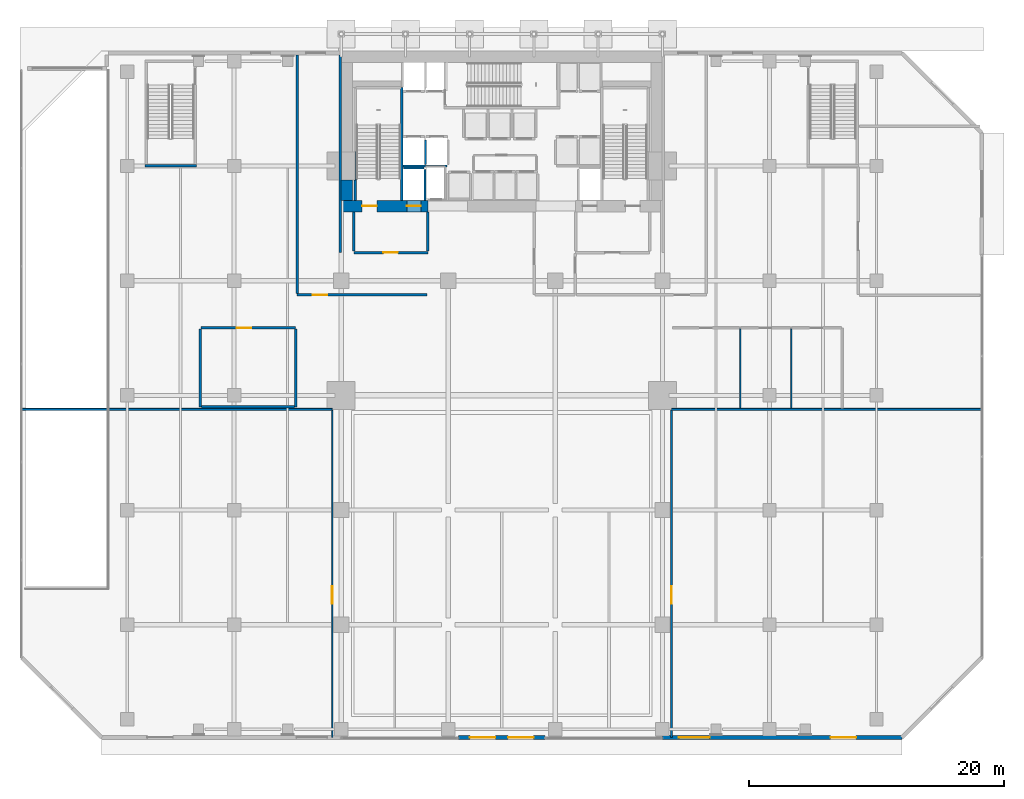
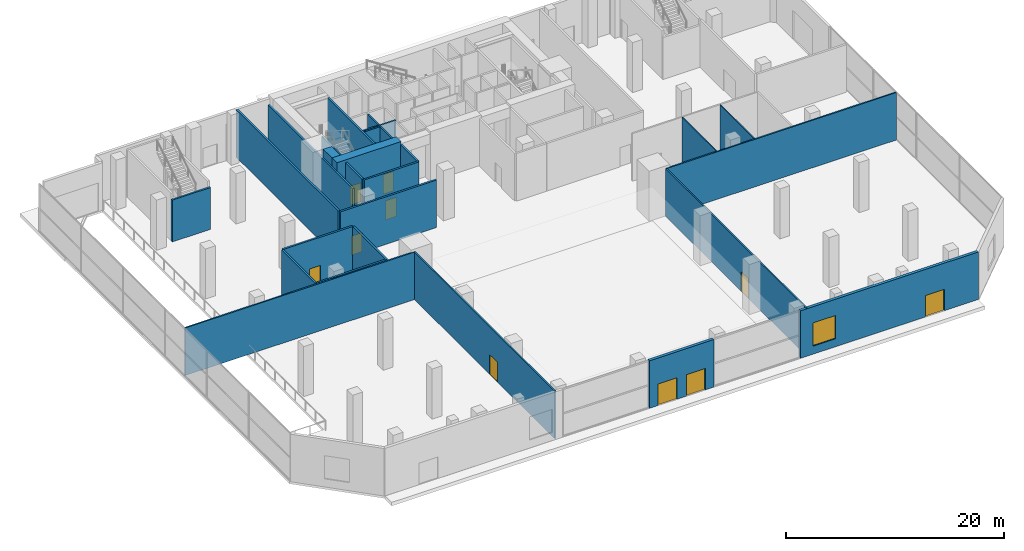
# One storey, part 27 of 35: 28 walls, 10 doors, 1 window, 11 openings.
"""IFC4 building model written with IfcOpenShell, lengths in metres."""

from ifc_helpers import new_model, si_unit, direction, frame, frame_2d, origin, place, context, subcontext, project, spatial, rectangle, extrude, material, layer, layer_set, type_object, element, fill, save


model = new_model("IFC4")

# Units and contexts
model_context = context("Model", 3, precision=1e-05, world=origin(), true_north=direction((0.0, 1.0)))
body_context = subcontext(model_context, "Body", "Model", "MODEL_VIEW")
ifc_project = project(units=[si_unit("LENGTHUNIT", "METRE"), si_unit("AREAUNIT", "SQUARE_METRE"), si_unit("VOLUMEUNIT", "CUBIC_METRE"), si_unit("PLANEANGLEUNIT", "RADIAN"), si_unit("MASSUNIT", "GRAM", prefix="KILO")], contexts=[model_context])

# Site, building, storey
site_placement = place(None, origin())
site = spatial("IfcSite", under=ifc_project, at=site_placement, CompositionType="ELEMENT")
building_placement = place(site_placement, origin())
building = spatial("IfcBuilding", under=site, at=building_placement, Name="Maruvema Waterfront Hotel and Observation Tower", CompositionType="ELEMENT")
storey_placement = place(building_placement, origin())
storey = spatial("IfcBuildingStorey", under=building, at=storey_placement, Name="L00", CompositionType="ELEMENT", Elevation=0.0)

# Wall, opening, door
ifc_material_1 = material(Name="Twin-stud acoustic gypsum drywall", Category="gypsum")
ifc_layer_1 = layer(ifc_material_1, 0.14990234375, Name="Acoustic Corridor and Suite Demising Wall 150 mm")
ifc_layer_set_1 = layer_set([ifc_layer_1], Name="Twin-stud acoustic gypsum drywall")
wall_type_1 = type_object("IfcWallType", Name="Acoustic Corridor and Suite Demising Wall 150 mm", PredefinedType="PARTITIONING", material=ifc_layer_set_1)
wall_1_placement = place(storey_placement, frame((24.5, 0.139892578125, 0.0), z_axis=(0.0, 0.0, 1.0), x_axis=(0.0, 1.0, 0.0)))
wall_1 = element("IfcWall", 1, at=wall_1_placement, inside=storey, type_object=wall_type_1, Name="L00 Retail East Wall 026", PredefinedType="PARTITIONING", context=body_context, shape_type="SweptSolid", body=[
    extrude(rectangle(XDim=25.72021484375, YDim=0.14990234375, at=frame_2d((12.860107421875, 0.0))), origin(), (0.0, 0.0, 1.0), 5.320068359375),
])
opening_1_placement = place(wall_1_placement, frame((10.5, 0.0, 0.0)))
opening_1 = element("IfcOpeningElement", 2, at=opening_1_placement, cuts=wall_1, Name="Opening DR-140", PredefinedType="OPENING", context=body_context, shape_type="SweptSolid", body=[
    extrude(rectangle(XDim=1.39990234375, YDim=2.199951171875, at=frame_2d((0.699951171875, 1.10009765625))), frame((0.0, 0.0849609375, 0.0), z_axis=(0.0, -1.0, 0.0), x_axis=(1.0, 0.0, 0.0)), (0.0, 0.0, 1.0), 0.169921875),
])
ifc_material_2 = material(Name="Anodised bronze framed acoustic glass leaf", Category="glass")
door_type_1 = type_object("IfcDoorType", Name="Conference and Restaurant Double Door 1400x2200 mm", OperationType="DOUBLE_DOOR_SINGLE_SWING", PredefinedType="DOOR", material=ifc_material_2)
door_1_placement = place(opening_1_placement, origin())
door_1 = element("IfcDoor", 3, at=door_1_placement, inside=storey, type_object=door_type_1, Name="L00 Retail Lobby Door", OperationType="DOUBLE_DOOR_SINGLE_SWING", OverallHeight=2.199951171875, OverallWidth=1.39990234375, PredefinedType="DOOR", context=body_context, shape_type="SweptSolid", body=[
    extrude(rectangle(XDim=1.39990234375, YDim=2.199951171875, at=frame_2d((0.699951171875, 1.10009765625))), frame((0.0, 0.02490234375, 0.0), z_axis=(0.0, -1.0, 0.0), x_axis=(1.0, 0.0, 0.0)), (0.0, 0.0, 1.0), 0.050048828125),
])
fill(opening_1, door_1)

# Wall
wall_2_placement = place(storey_placement, frame((0.139892578125, 25.89990234375, 0.0), z_axis=(0.0, 0.0, 1.0), x_axis=(1.0, 0.0, 0.0)))
element("IfcWall", 4, at=wall_2_placement, inside=storey, type_object=wall_type_1, Name="L00 Retail North Wall 027", PredefinedType="PARTITIONING", context=body_context, shape_type="SweptSolid", body=[
    extrude(rectangle(XDim=24.340087890625, YDim=0.14990234375, at=frame_2d((12.169921875, 0.0))), origin(), (0.0, 0.0, 1.0), 5.320068359375),
])

# Wall, opening, door
wall_3_placement = place(storey_placement, frame((51.10009765625, 0.139892578125, 0.0), z_axis=(0.0, 0.0, 1.0), x_axis=(0.0, 1.0, 0.0)))
wall_3 = element("IfcWall", 5, at=wall_3_placement, inside=storey, type_object=wall_type_1, Name="L00 Cafe West Wall 028", PredefinedType="PARTITIONING", context=body_context, shape_type="SweptSolid", body=[
    extrude(rectangle(XDim=25.72021484375, YDim=0.14990234375, at=frame_2d((12.860107421875, 0.0))), origin(), (0.0, 0.0, 1.0), 5.320068359375),
])
opening_2_placement = place(wall_3_placement, frame((10.5, 0.0, 0.0)))
opening_2 = element("IfcOpeningElement", 6, at=opening_2_placement, cuts=wall_3, Name="Opening DR-140", PredefinedType="OPENING", context=body_context, shape_type="SweptSolid", body=[
    extrude(rectangle(XDim=1.39990234375, YDim=2.199951171875, at=frame_2d((0.699951171875, 1.10009765625))), frame((0.0, 0.0849609375, 0.0), z_axis=(0.0, -1.0, 0.0), x_axis=(1.0, 0.0, 0.0)), (0.0, 0.0, 1.0), 0.169921875),
])
door_2_placement = place(opening_2_placement, frame((1.39990234375, 0.0, 0.0), z_axis=(0.0, 0.0, 1.0), x_axis=(-1.0, 0.0, 0.0)))
door_2 = element("IfcDoor", 7, at=door_2_placement, inside=storey, type_object=door_type_1, Name="L00 Cafe Lobby Door", OperationType="DOUBLE_DOOR_SINGLE_SWING", OverallHeight=2.199951171875, OverallWidth=1.39990234375, PredefinedType="DOOR", context=body_context, shape_type="SweptSolid", body=[
    extrude(rectangle(XDim=1.39990234375, YDim=2.199951171875, at=frame_2d((0.699951171875, 1.10009765625))), frame((0.0, 0.02490234375, 0.0), z_axis=(0.0, -1.0, 0.0), x_axis=(1.0, 0.0, 0.0)), (0.0, 0.0, 1.0), 0.050048828125),
])
fill(opening_2, door_2)

# Walls
wall_4_placement = place(storey_placement, frame((51.1201171875, 25.89990234375, 0.0), z_axis=(0.0, 0.0, 1.0), x_axis=(1.0, 0.0, 0.0)))
element("IfcWall", 8, at=wall_4_placement, inside=storey, type_object=wall_type_1, Name="L00 Cafe North Wall 029", PredefinedType="PARTITIONING", context=body_context, shape_type="SweptSolid", body=[
    extrude(rectangle(XDim=24.33984375, YDim=0.14990234375, at=frame_2d((12.169921875, 0.0))), origin(), (0.0, 0.0, 1.0), 5.320068359375),
])
ifc_material_3 = material(Name="Precast concrete C45/55", Category="concrete")
ifc_layer_2 = layer(ifc_material_3, 0.199951171875, Name="Core Shaft and Stairwell Enclosure Wall 200 mm")
ifc_layer_set_2 = layer_set([ifc_layer_2], Name="Precast concrete C45/55")
wall_type_2 = type_object("IfcWallType", Name="Core Shaft and Stairwell Enclosure Wall 200 mm", PredefinedType="SOLIDWALL", material=ifc_layer_set_2)
wall_5_placement = place(storey_placement, frame((29.949951171875, 42.300048828125, 0.0), z_axis=(0.0, 0.0, 1.0), x_axis=(0.0, 1.0, 0.0)))
element("IfcWall", 9, at=wall_5_placement, inside=storey, type_object=wall_type_2, Name="L00 Stairwell ST-01 East Shaft Wall", PredefinedType="SOLIDWALL", context=body_context, shape_type="SweptSolid", body=[
    extrude(rectangle(XDim=8.849853515625, YDim=0.199951171875, at=frame_2d((4.4248046875, 0.0))), origin(), (0.0, 0.0, 1.0), 5.320068359375),
])
wall_6_placement = place(storey_placement, frame((26.300048828125, 42.300048828125, 0.0), z_axis=(0.0, 0.0, 1.0), x_axis=(0.0, 1.0, 0.0)))
element("IfcWall", 10, at=wall_6_placement, inside=storey, type_object=wall_type_2, Name="L00 Stairwell ST-01 Shaft Lining Wall", PredefinedType="SOLIDWALL", context=body_context, shape_type="SweptSolid", body=[
    extrude(rectangle(XDim=1.579833984375, YDim=0.199951171875, at=frame_2d((0.7900390625, 0.0))), origin(), (0.0, 0.0, 1.0), 5.320068359375),
])
wall_7_placement = place(storey_placement, frame((9.800048828125, 45.0, 0.0), z_axis=(0.0, 0.0, 1.0), x_axis=(1.0, 0.0, 0.0)))
element("IfcWall", 11, at=wall_7_placement, inside=storey, type_object=wall_type_2, Name="L00 Stairwell ST-04 Shaft Wall", PredefinedType="SOLIDWALL", context=body_context, shape_type="SweptSolid", body=[
    extrude(rectangle(XDim=4.050048828125, YDim=0.199951171875, at=frame_2d((2.02490234375, 0.0))), origin(), (0.0, 0.0, 1.0), 4.68505859375),
])

# Wall, openings, doors
ifc_material_4 = material(Name="Concrete C80/95", Category="concrete")
ifc_layer_3 = layer(ifc_material_4, 0.89990234375, Name="Core Shear Wall 900 mm")
ifc_layer_set_3 = layer_set([ifc_layer_3], Name="Concrete C80/95")
wall_type_3 = type_object("IfcWallType", Name="Core Shear Wall 900 mm", PredefinedType="SHEAR", material=ifc_layer_set_3)
wall_8_placement = place(storey_placement, frame((25.199951171875, 41.85009765625, 0.0), z_axis=(0.0, 0.0, 1.0), x_axis=(1.0, 0.0, 0.0)))
wall_8 = element("IfcWall", 12, at=wall_8_placement, inside=storey, type_object=wall_type_3, Name="L00 South-West Core Shear Wall", PredefinedType="SHEAR", context=body_context, shape_type="SweptSolid", body=[
    extrude(rectangle(XDim=6.800048828125, YDim=0.89990234375, at=frame_2d((3.39990234375, 0.0))), origin(), (0.0, 0.0, 1.0), 5.60009765625),
])
opening_3_placement = place(wall_8_placement, frame((1.64990234375, 0.0, 0.0)))
opening_3 = element("IfcOpeningElement", 13, at=opening_3_placement, cuts=wall_8, Name="Opening SD-01", PredefinedType="OPENING", context=body_context, shape_type="SweptSolid", body=[
    extrude(rectangle(XDim=1.14990234375, YDim=2.14990234375, at=frame_2d((0.574951171875, 1.074951171875))), frame((0.0, 0.4599609375, 0.0), z_axis=(0.0, -1.0, 0.0), x_axis=(1.0, 0.0, 0.0)), (0.0, 0.0, 1.0), 0.919921875),
])
opening_4_placement = place(wall_8_placement, frame((5.14990234375, 0.0, 0.0)))
opening_4 = element("IfcOpeningElement", 14, at=opening_4_placement, cuts=wall_8, Name="Opening LD-03", PredefinedType="OPENING", context=body_context, shape_type="SweptSolid", body=[
    extrude(rectangle(XDim=1.10009765625, YDim=2.199951171875, at=frame_2d((0.550048828125, 1.10009765625))), frame((0.0, 0.4599609375, 0.0), z_axis=(0.0, -1.0, 0.0), x_axis=(1.0, 0.0, 0.0)), (0.0, 0.0, 1.0), 0.919921875),
])
ifc_material_5 = material(Name="Fire-rated galvanised steel leaf", Category="steel")
door_type_2 = type_object("IfcDoorType", Name="Exit Stair Fire Door 1150x2150 mm", OperationType="NOTDEFINED", PredefinedType="DOOR", material=ifc_material_5)
door_3_placement = place(opening_3_placement, frame((1.14990234375, 0.0, 0.0), z_axis=(0.0, 0.0, 1.0), x_axis=(-1.0, 0.0, 0.0)))
door_3 = element("IfcDoor", 15, at=door_3_placement, inside=storey, type_object=door_type_2, Name="L00 Exit Stair ST-01 Fire Door", OperationType="SINGLE_SWING_LEFT", OverallHeight=2.14990234375, OverallWidth=1.14990234375, PredefinedType="DOOR", context=body_context, shape_type="SweptSolid", body=[
    extrude(rectangle(XDim=1.14990234375, YDim=2.14990234375, at=frame_2d((0.574951171875, 1.074951171875))), frame((0.0, 0.02490234375, 0.0), z_axis=(0.0, -1.0, 0.0), x_axis=(1.0, 0.0, 0.0)), (0.0, 0.0, 1.0), 0.050048828125),
])
fill(opening_3, door_3)
ifc_material_6 = material(Name="Brushed stainless steel Grade 316", Category="steel")
door_type_3 = type_object("IfcDoorType", Name="Firefighting Lift Sliding Landing Door 1100x2200 mm", OperationType="SLIDING_TO_LEFT", PredefinedType="DOOR", material=ifc_material_6)
door_4_placement = place(opening_4_placement, frame((1.10009765625, 0.0, 0.0), z_axis=(0.0, 0.0, 1.0), x_axis=(-1.0, 0.0, 0.0)))
door_4 = element("IfcDoor", 16, at=door_4_placement, inside=storey, type_object=door_type_3, Name="L00 Firefighting Lift FL-01 Landing Door", OperationType="SLIDING_TO_LEFT", OverallHeight=2.199951171875, OverallWidth=1.10009765625, PredefinedType="DOOR", context=body_context, shape_type="SweptSolid", body=[
    extrude(rectangle(XDim=1.10009765625, YDim=2.199951171875, at=frame_2d((0.550048828125, 1.10009765625))), frame((0.0, 0.02490234375, 0.0), z_axis=(0.0, -1.0, 0.0), x_axis=(1.0, 0.0, 0.0)), (0.0, 0.0, 1.0), 0.050048828125),
])
fill(opening_4, door_4)

# Walls
wall_9_placement = place(storey_placement, frame((25.64990234375, 42.300048828125, 0.0), z_axis=(0.0, 0.0, 1.0), x_axis=(0.0, 1.0, 0.0)))
element("IfcWall", 17, at=wall_9_placement, inside=storey, type_object=wall_type_3, Name="L00 West-South Core Shear Wall", PredefinedType="SHEAR", context=body_context, shape_type="SweptSolid", body=[
    extrude(rectangle(XDim=1.599853515625, YDim=0.89990234375, at=frame_2d((0.7998046875, 0.0))), origin(), (0.0, 0.0, 1.0), 5.60009765625),
])
ifc_material_7 = material(Name="Moisture-resistant cement-board drywall", Category="gypsum")
ifc_layer_4 = layer(ifc_material_7, 0.10009765625, Name="En-Suite Moisture-Resistant Partition 100 mm")
ifc_layer_set_4 = layer_set([ifc_layer_4], Name="Moisture-resistant cement-board drywall")
wall_type_4 = type_object("IfcWallType", Name="En-Suite Moisture-Resistant Partition 100 mm", PredefinedType="PARTITIONING", material=ifc_layer_set_4)
for number, where, z_axis, x_axis, name in (
    (18, (56.5, 26.0, 0.0), (0.0, 0.0, 1.0), (0.0, 1.0, 0.0), "L00 Luggage Split 033"),
    (19, (60.5, 26.0, 0.0), (0.0, 0.0, 1.0), (0.0, 1.0, 0.0), "L00 WC Split 034"),
):
    element("IfcWall", number, at=place(storey_placement, frame(where, z_axis=z_axis, x_axis=x_axis)), inside=storey, type_object=wall_type_4, Name=name, PredefinedType="PARTITIONING", context=body_context, shape_type="SweptSolid", body=[
        extrude(rectangle(XDim=6.219970703125, YDim=0.10009765625, at=frame_2d((3.10986328125, 0.0))), origin(), (0.0, 0.0, 1.0), 5.320068359375),
    ])

# Wall, opening, door
ifc_material_8 = material(Name="Autoclaved cellular concrete blockwork", Category="masonry")
ifc_layer_5 = layer(ifc_material_8, 0.199951171875, Name="Fire Compartment Masonry Wall 200 mm")
ifc_layer_set_5 = layer_set([ifc_layer_5], Name="Autoclaved cellular concrete blockwork")
wall_type_5 = type_object("IfcWallType", Name="Fire Compartment Masonry Wall 200 mm", PredefinedType="PARTITIONING", material=ifc_layer_set_5)
wall_10_placement = place(storey_placement, frame((26.199951171875, 38.199951171875, 0.0), z_axis=(0.0, 0.0, 1.0), x_axis=(1.0, 0.0, 0.0)))
wall_10 = element("IfcWall", 20, at=wall_10_placement, inside=storey, type_object=wall_type_5, Name="L00 FFL West South Wall 001", PredefinedType="PARTITIONING", context=body_context, shape_type="SweptSolid", body=[
    extrude(rectangle(XDim=5.800048828125, YDim=0.199951171875, at=frame_2d((2.89990234375, 0.0))), origin(), (0.0, 0.0, 1.0), 5.320068359375),
])
opening_5_placement = place(wall_10_placement, frame((2.300048828125, 0.0, 0.0)))
opening_5 = element("IfcOpeningElement", 21, at=opening_5_placement, cuts=wall_10, Name="Opening FD-115", PredefinedType="OPENING", context=body_context, shape_type="SweptSolid", body=[
    extrude(rectangle(XDim=1.14990234375, YDim=2.14990234375, at=frame_2d((0.574951171875, 1.074951171875))), frame((0.0, 0.10986328125, 0.0), z_axis=(0.0, -1.0, 0.0), x_axis=(1.0, 0.0, 0.0)), (0.0, 0.0, 1.0), 0.219970703125),
])
ifc_material_9 = material(Name="Fire-rated galvanised steel and vision glass", Category="steel")
door_type_4 = type_object("IfcDoorType", Name="Firefighting Lobby Fire Door 1150x2150 mm", OperationType="NOTDEFINED", PredefinedType="DOOR", material=ifc_material_9)
door_5_placement = place(opening_5_placement, frame((1.14990234375, 0.0, 0.0), z_axis=(0.0, 0.0, 1.0), x_axis=(-1.0, 0.0, 0.0)))
door_5 = element("IfcDoor", 22, at=door_5_placement, inside=storey, type_object=door_type_4, Name="L00 Firefighting Lobby West Door", OperationType="SINGLE_SWING_RIGHT", OverallHeight=2.14990234375, OverallWidth=1.14990234375, PredefinedType="DOOR", context=body_context, shape_type="SweptSolid", body=[
    extrude(rectangle(XDim=1.14990234375, YDim=2.14990234375, at=frame_2d((0.574951171875, 1.074951171875))), frame((0.0, 0.02490234375, 0.0), z_axis=(0.0, -1.0, 0.0), x_axis=(1.0, 0.0, 0.0)), (0.0, 0.0, 1.0), 0.050048828125),
])
fill(opening_5, door_5)

# Walls
for number, where, z_axis, x_axis, name in (
    (23, (26.199951171875, 38.31005859375, 0.0), (0.0, 0.0, 1.0), (0.0, 1.0, 0.0), "L00 FFL West West Wall 002"),
    (24, (32.0, 38.31005859375, 0.0), (0.0, 0.0, 1.0), (0.0, 1.0, 0.0), "L00 FFL West East Wall 003"),
):
    element("IfcWall", number, at=place(storey_placement, frame(where, z_axis=z_axis, x_axis=x_axis)), inside=storey, type_object=wall_type_5, Name=name, PredefinedType="PARTITIONING", context=body_context, shape_type="SweptSolid", body=[
        extrude(rectangle(XDim=3.06982421875, YDim=0.199951171875, at=frame_2d((1.534912109375, 0.0))), origin(), (0.0, 0.0, 1.0), 5.320068359375),
    ])

# Wall, opening, door
wall_11_placement = place(storey_placement, frame((21.75, 34.8798828125, 0.0), z_axis=(0.0, 0.0, 1.0), x_axis=(1.0, 0.0, 0.0)))
wall_11 = element("IfcWall", 25, at=wall_11_placement, inside=storey, type_object=wall_type_5, Name="L00 West Exit Passage South Wall 013", PredefinedType="PARTITIONING", context=body_context, shape_type="SweptSolid", body=[
    extrude(rectangle(XDim=10.199951171875, YDim=0.199951171875, at=frame_2d((5.10009765625, 0.0))), origin(), (0.0, 0.0, 1.0), 5.320068359375),
])
opening_6_placement = place(wall_11_placement, frame((1.199951171875, 0.0, 0.0)))
opening_6 = element("IfcOpeningElement", 26, at=opening_6_placement, cuts=wall_11, Name="Opening FD-115", PredefinedType="OPENING", context=body_context, shape_type="SweptSolid", body=[
    extrude(rectangle(XDim=1.14990234375, YDim=2.14990234375, at=frame_2d((0.574951171875, 1.074951171875))), frame((0.0, 0.10986328125, 0.0), z_axis=(0.0, -1.0, 0.0), x_axis=(1.0, 0.0, 0.0)), (0.0, 0.0, 1.0), 0.219970703125),
])
door_6_placement = place(opening_6_placement, origin())
door_6 = element("IfcDoor", 27, at=door_6_placement, inside=storey, type_object=door_type_4, Name="L00 West Exit Passageway Door", OperationType="SINGLE_SWING_RIGHT", OverallHeight=2.14990234375, OverallWidth=1.14990234375, PredefinedType="DOOR", context=body_context, shape_type="SweptSolid", body=[
    extrude(rectangle(XDim=1.14990234375, YDim=2.14990234375, at=frame_2d((0.574951171875, 1.074951171875))), frame((0.0, 0.02490234375, 0.0), z_axis=(0.0, -1.0, 0.0), x_axis=(1.0, 0.0, 0.0)), (0.0, 0.0, 1.0), 0.050048828125),
])
fill(opening_6, door_6)

# Walls
wall_12_placement = place(storey_placement, frame((21.75, 35.0, 0.0), z_axis=(0.0, 0.0, 1.0), x_axis=(0.0, 1.0, 0.0)))
element("IfcWall", 28, at=wall_12_placement, inside=storey, type_object=wall_type_5, Name="L00 West Exit Passage West Wall 014", PredefinedType="PARTITIONING", context=body_context, shape_type="SweptSolid", body=[
    extrude(rectangle(XDim=18.699951171875, YDim=0.199951171875, at=frame_2d((9.35009765625, 0.0))), origin(), (0.0, 0.0, 1.0), 5.320068359375),
])
wall_13_placement = place(storey_placement, frame((25.1201171875, 38.199951171875, 0.0), z_axis=(0.0, 0.0, 1.0), x_axis=(0.0, 1.0, 0.0)))
element("IfcWall", 29, at=wall_13_placement, inside=storey, type_object=wall_type_5, Name="L00 West Exit Passage Inner Wall 015", PredefinedType="PARTITIONING", context=body_context, shape_type="SweptSolid", body=[
    extrude(rectangle(XDim=15.5, YDim=0.199951171875, at=frame_2d((7.75, 0.0))), origin(), (0.0, 0.0, 1.0), 4.68505859375),
])

# Wall, opening, door
wall_14_placement = place(storey_placement, frame((14.199951171875, 32.300048828125, 0.0), z_axis=(0.0, 0.0, 1.0), x_axis=(1.0, 0.0, 0.0)))
wall_14 = element("IfcWall", 30, at=wall_14_placement, inside=storey, type_object=wall_type_5, Name="L00 Fire Command North Wall 019", PredefinedType="PARTITIONING", context=body_context, shape_type="SweptSolid", body=[
    extrude(rectangle(XDim=7.400146484375, YDim=0.199951171875, at=frame_2d((3.7001953125, 0.0))), origin(), (0.0, 0.0, 1.0), 5.320068359375),
])
opening_7_placement = place(wall_14_placement, frame((2.800048828125, 0.0, 0.0)))
opening_7 = element("IfcOpeningElement", 31, at=opening_7_placement, cuts=wall_14, Name="Opening FD-115", PredefinedType="OPENING", context=body_context, shape_type="SweptSolid", body=[
    extrude(rectangle(XDim=1.14990234375, YDim=2.14990234375, at=frame_2d((0.574951171875, 1.074951171875))), frame((0.0, 0.10986328125, 0.0), z_axis=(0.0, -1.0, 0.0), x_axis=(1.0, 0.0, 0.0)), (0.0, 0.0, 1.0), 0.219970703125),
])
door_7_placement = place(opening_7_placement, origin())
door_7 = element("IfcDoor", 32, at=door_7_placement, inside=storey, type_object=door_type_4, Name="L00 Fire Command Room Door", OperationType="SINGLE_SWING_RIGHT", OverallHeight=2.14990234375, OverallWidth=1.14990234375, PredefinedType="DOOR", context=body_context, shape_type="SweptSolid", body=[
    extrude(rectangle(XDim=1.14990234375, YDim=2.14990234375, at=frame_2d((0.574951171875, 1.074951171875))), frame((0.0, 0.02490234375, 0.0), z_axis=(0.0, -1.0, 0.0), x_axis=(1.0, 0.0, 0.0)), (0.0, 0.0, 1.0), 0.050048828125),
])
fill(opening_7, door_7)

# Walls
for number, where, z_axis, x_axis, name in (
    (33, (14.14990234375, 26.10009765625, 0.0), (0.0, 0.0, 1.0), (0.0, 1.0, 0.0), "L00 Fire Command West Wall 020"),
    (34, (21.64990234375, 26.10009765625, 0.0), (0.0, 0.0, 1.0), (0.0, 1.0, 0.0), "L00 Fire Command East Wall 021"),
):
    element("IfcWall", number, at=place(storey_placement, frame(where, z_axis=z_axis, x_axis=x_axis)), inside=storey, type_object=wall_type_5, Name=name, PredefinedType="PARTITIONING", context=body_context, shape_type="SweptSolid", body=[
        extrude(rectangle(XDim=6.099853515625, YDim=0.199951171875, at=frame_2d((3.0498046875, 0.0))), origin(), (0.0, 0.0, 1.0), 5.320068359375),
    ])
wall_15_placement = place(storey_placement, frame((14.25, 26.10009765625, 0.0), z_axis=(0.0, 0.0, 1.0), x_axis=(1.0, 0.0, 0.0)))
element("IfcWall", 35, at=wall_15_placement, inside=storey, type_object=wall_type_5, Name="L00 Fire Command South Wall 022", PredefinedType="PARTITIONING", context=body_context, shape_type="SweptSolid", body=[
    extrude(rectangle(XDim=7.300048828125, YDim=0.199951171875, at=frame_2d((3.64990234375, 0.0))), origin(), (0.0, 0.0, 1.0), 5.320068359375),
])
ifc_material_10 = material(Name="Precast concrete C45/55", Category="concrete")
ifc_layer_6 = layer(ifc_material_10, 0.159912109375, Name="Lift Hoistway Divider Wall 160 mm")
ifc_layer_set_6 = layer_set([ifc_layer_6], Name="Precast concrete C45/55")
wall_type_6 = type_object("IfcWallType", Name="Lift Hoistway Divider Wall 160 mm", PredefinedType="SOLIDWALL", material=ifc_layer_set_6)
wall_16_placement = place(storey_placement, frame((30.10009765625, 44.830078125, 0.0), z_axis=(0.0, 0.0, 1.0), x_axis=(1.0, 0.0, 0.0)))
element("IfcWall", 36, at=wall_16_placement, inside=storey, type_object=wall_type_6, Name="L00 Lift FL-01 Rear Hoistway Wall", PredefinedType="SOLIDWALL", context=body_context, shape_type="SweptSolid", body=[
    extrude(rectangle(XDim=1.599853515625, YDim=0.159912109375, at=frame_2d((0.7998046875, 0.0))), origin(), (0.0, 0.0, 1.0), 5.320068359375),
])
wall_17_placement = place(storey_placement, frame((31.780029296875, 42.300048828125, 0.0), z_axis=(0.0, 0.0, 1.0), x_axis=(0.0, 1.0, 0.0)))
element("IfcWall", 37, at=wall_17_placement, inside=storey, type_object=wall_type_6, Name="L00 Lift FL-01 Inner Hoistway Wall", PredefinedType="SOLIDWALL", context=body_context, shape_type="SweptSolid", body=[
    extrude(rectangle(XDim=2.43994140625, YDim=0.159912109375, at=frame_2d((1.219970703125, 0.0))), origin(), (0.0, 0.0, 1.0), 5.320068359375),
])
wall_18_placement = place(storey_placement, frame((31.800048828125, 45.10009765625, 0.0), z_axis=(0.0, 0.0, 1.0), x_axis=(0.0, 1.0, 0.0)))
element("IfcWall", 38, at=wall_18_placement, inside=storey, type_object=wall_type_6, Name="L00 Hoistway Divider Wall", PredefinedType="SOLIDWALL", context=body_context, shape_type="SweptSolid", body=[
    extrude(rectangle(XDim=1.949951171875, YDim=0.159912109375, at=frame_2d((0.97509765625, 0.0))), origin(), (0.0, 0.0, 1.0), 5.320068359375),
])
wall_19_placement = place(storey_placement, frame((30.050048828125, 45.010009765625, 0.0), z_axis=(0.0, 0.0, 1.0), x_axis=(1.0, 0.0, 0.0)))
element("IfcWall", 39, at=wall_19_placement, inside=storey, type_object=wall_type_6, Name="L00 Hoistway Divider Wall", PredefinedType="SOLIDWALL", context=body_context, shape_type="SweptSolid", body=[
    extrude(rectangle(XDim=3.449951171875, YDim=0.159912109375, at=frame_2d((1.72509765625, 0.0))), origin(), (0.0, 0.0, 1.0), 5.320068359375),
])

# Wall, openings, window, door
ifc_material_11 = material(Name="Precast concrete C45/55 with honed Pernambuco granite facing", Category="masonry")
ifc_layer_7 = layer(ifc_material_11, 0.300048828125, Name="Podium Waterfront Granite Colonnade Wall 300 mm")
ifc_layer_set_7 = layer_set([ifc_layer_7], Name="Precast concrete C45/55 with honed Pernambuco granite facing")
wall_type_7 = type_object("IfcWallType", Name="Podium Waterfront Granite Colonnade Wall 300 mm", PredefinedType="SOLIDWALL", material=ifc_layer_set_7)
wall_20_placement = place(storey_placement, frame((69.199951171875, 0.14990234375, 0.0), z_axis=(0.0, 0.0, 1.0), x_axis=(-1.0, 0.0, 0.0)))
wall_20 = element("IfcWall", 40, at=wall_20_placement, inside=storey, type_object=wall_type_7, Name="L00 South Waterfront Entrance Wall SE1", PredefinedType="SOLIDWALL", context=body_context, shape_type="SweptSolid", body=[
    extrude(rectangle(XDim=18.800048828125, YDim=0.300048828125, at=frame_2d((9.39990234375, 0.0))), origin(), (0.0, 0.0, 1.0), 5.320068359375),
])
opening_8_placement = place(wall_20_placement, frame((3.60009765625, 0.0, 0.0)))
opening_8 = element("IfcOpeningElement", 41, at=opening_8_placement, cuts=wall_20, Name="Opening ED-02", PredefinedType="OPENING", context=body_context, shape_type="SweptSolid", body=[
    extrude(rectangle(XDim=2.0, YDim=2.39990234375, at=frame_2d((1.0, 1.199951171875))), frame((0.0, 0.16015625, 0.0), z_axis=(0.0, -1.0, 0.0), x_axis=(1.0, 0.0, 0.0)), (0.0, 0.0, 1.0), 0.320068359375),
])
opening_9_placement = place(wall_20_placement, frame((15.10009765625, 0.0, 0.89990234375)))
opening_9 = element("IfcOpeningElement", 42, at=opening_9_placement, cuts=wall_20, Name="Opening WN-04", PredefinedType="OPENING", context=body_context, shape_type="SweptSolid", body=[
    extrude(rectangle(XDim=2.39990234375, YDim=2.60009765625, at=frame_2d((1.199951171875, 1.300048828125))), frame((0.0, 0.16015625, 0.0), z_axis=(0.0, -1.0, 0.0), x_axis=(1.0, 0.0, 0.0)), (0.0, 0.0, 1.0), 0.320068359375),
])
ifc_material_12 = material(Name="Anodised bronze aluminium frame with laminated low-E glass", Category="aluminium")
window_type = type_object("IfcWindowType", Name="Podium Waterfront Punched Window 2400x2600 mm", PartitioningType="SINGLE_PANEL", PredefinedType="WINDOW", material=ifc_material_12)
window_placement = place(opening_9_placement, origin())
window = element("IfcWindow", 43, at=window_placement, inside=storey, type_object=window_type, Name="L00 Waterfront Display Window SE1", OverallHeight=2.60009765625, OverallWidth=2.39990234375, PartitioningType="SINGLE_PANEL", PredefinedType="WINDOW", context=body_context, shape_type="SweptSolid", body=[
    extrude(rectangle(XDim=2.39990234375, YDim=2.60009765625, at=frame_2d((1.199951171875, 1.300048828125))), frame((0.0, 0.030029296875, 0.0), z_axis=(0.0, -1.0, 0.0), x_axis=(1.0, 0.0, 0.0)), (0.0, 0.0, 1.0), 0.06005859375),
])
fill(opening_9, window)
ifc_material_13 = material(Name="Anodised bronze aluminium and laminated safety glass", Category="aluminium")
door_type_5 = type_object("IfcDoorType", Name="Waterfront Entrance Glazed Double Door 2000x2400 mm", OperationType="DOUBLE_DOOR_SINGLE_SWING", PredefinedType="DOOR", material=ifc_material_13)
door_8_placement = place(opening_8_placement, origin())
door_8 = element("IfcDoor", 44, at=door_8_placement, inside=storey, type_object=door_type_5, Name="L00 Waterfront Cafe Final Exit Door SE1", OperationType="DOUBLE_DOOR_SINGLE_SWING", OverallHeight=2.39990234375, OverallWidth=2.0, PredefinedType="DOOR", context=body_context, shape_type="SweptSolid", body=[
    extrude(rectangle(XDim=2.0, YDim=2.39990234375, at=frame_2d((1.0, 1.199951171875))), frame((0.0, 0.02490234375, 0.0), z_axis=(0.0, -1.0, 0.0), x_axis=(1.0, 0.0, 0.0)), (0.0, 0.0, 1.0), 0.050048828125),
])
fill(opening_8, door_8)

# Wall, openings, doors
wall_21_placement = place(storey_placement, frame((41.199951171875, 0.14990234375, 0.0), z_axis=(0.0, 0.0, 1.0), x_axis=(-1.0, 0.0, 0.0)))
wall_21 = element("IfcWall", 45, at=wall_21_placement, inside=storey, type_object=wall_type_7, Name="L00 Grand Lobby South Entrance Portal Wall", PredefinedType="SOLIDWALL", context=body_context, shape_type="SweptSolid", body=[
    extrude(rectangle(XDim=6.800048828125, YDim=0.300048828125, at=frame_2d((3.39990234375, 0.0))), origin(), (0.0, 0.0, 1.0), 5.320068359375),
])
opening_10_placement = place(wall_21_placement, frame((0.89990234375, 0.0, 0.0)))
opening_10 = element("IfcOpeningElement", 46, at=opening_10_placement, cuts=wall_21, Name="Opening ED-02", PredefinedType="OPENING", context=body_context, shape_type="SweptSolid", body=[
    extrude(rectangle(XDim=2.0, YDim=2.39990234375, at=frame_2d((1.0, 1.199951171875))), frame((0.0, 0.16015625, 0.0), z_axis=(0.0, -1.0, 0.0), x_axis=(1.0, 0.0, 0.0)), (0.0, 0.0, 1.0), 0.320068359375),
])
opening_11_placement = place(wall_21_placement, frame((3.89990234375, 0.0, 0.0)))
opening_11 = element("IfcOpeningElement", 47, at=opening_11_placement, cuts=wall_21, Name="Opening ED-02", PredefinedType="OPENING", context=body_context, shape_type="SweptSolid", body=[
    extrude(rectangle(XDim=2.0, YDim=2.39990234375, at=frame_2d((1.0, 1.199951171875))), frame((0.0, 0.16015625, 0.0), z_axis=(0.0, -1.0, 0.0), x_axis=(1.0, 0.0, 0.0)), (0.0, 0.0, 1.0), 0.320068359375),
])
door_9_placement = place(opening_10_placement, origin())
door_9 = element("IfcDoor", 48, at=door_9_placement, inside=storey, type_object=door_type_5, Name="L00 Grand Lobby East Final Exit Door", OperationType="DOUBLE_DOOR_SINGLE_SWING", OverallHeight=2.39990234375, OverallWidth=2.0, PredefinedType="DOOR", context=body_context, shape_type="SweptSolid", body=[
    extrude(rectangle(XDim=2.0, YDim=2.39990234375, at=frame_2d((1.0, 1.199951171875))), frame((0.0, 0.02490234375, 0.0), z_axis=(0.0, -1.0, 0.0), x_axis=(1.0, 0.0, 0.0)), (0.0, 0.0, 1.0), 0.050048828125),
])
fill(opening_10, door_9)
door_10_placement = place(opening_11_placement, origin())
door_10 = element("IfcDoor", 49, at=door_10_placement, inside=storey, type_object=door_type_5, Name="L00 Grand Lobby West Final Exit Door", OperationType="DOUBLE_DOOR_SINGLE_SWING", OverallHeight=2.39990234375, OverallWidth=2.0, PredefinedType="DOOR", context=body_context, shape_type="SweptSolid", body=[
    extrude(rectangle(XDim=2.0, YDim=2.39990234375, at=frame_2d((1.0, 1.199951171875))), frame((0.0, 0.02490234375, 0.0), z_axis=(0.0, -1.0, 0.0), x_axis=(1.0, 0.0, 0.0)), (0.0, 0.0, 1.0), 0.050048828125),
])
fill(opening_11, door_10)

# Wall
ifc_material_14 = material(Name="Precast concrete C45/55", Category="concrete")
ifc_layer_8 = layer(ifc_material_14, 0.10009765625, Name="Stairwell Stringer Cheek Wall 100 mm")
ifc_layer_set_8 = layer_set([ifc_layer_8], Name="Precast concrete C45/55")
wall_type_8 = type_object("IfcWallType", Name="Stairwell Stringer Cheek Wall 100 mm", PredefinedType="SOLIDWALL", material=ifc_layer_set_8)
wall_22_placement = place(storey_placement, frame((26.35205078125, 43.89990234375, 0.0), z_axis=(0.0, 0.0, 1.0), x_axis=(0.0, 1.0, 0.0)))
element("IfcWall", 50, at=wall_22_placement, inside=storey, type_object=wall_type_8, Name="L00 Stairwell ST-01 Mega-Column Cheek Wall", PredefinedType="SOLIDWALL", context=body_context, shape_type="SweptSolid", body=[
    extrude(rectangle(XDim=2.2001953125, YDim=0.10009765625, at=frame_2d((1.10009765625, 0.0))), origin(), (0.0, 0.0, 1.0), 5.320068359375),
])

save(model, "model.ifc")
